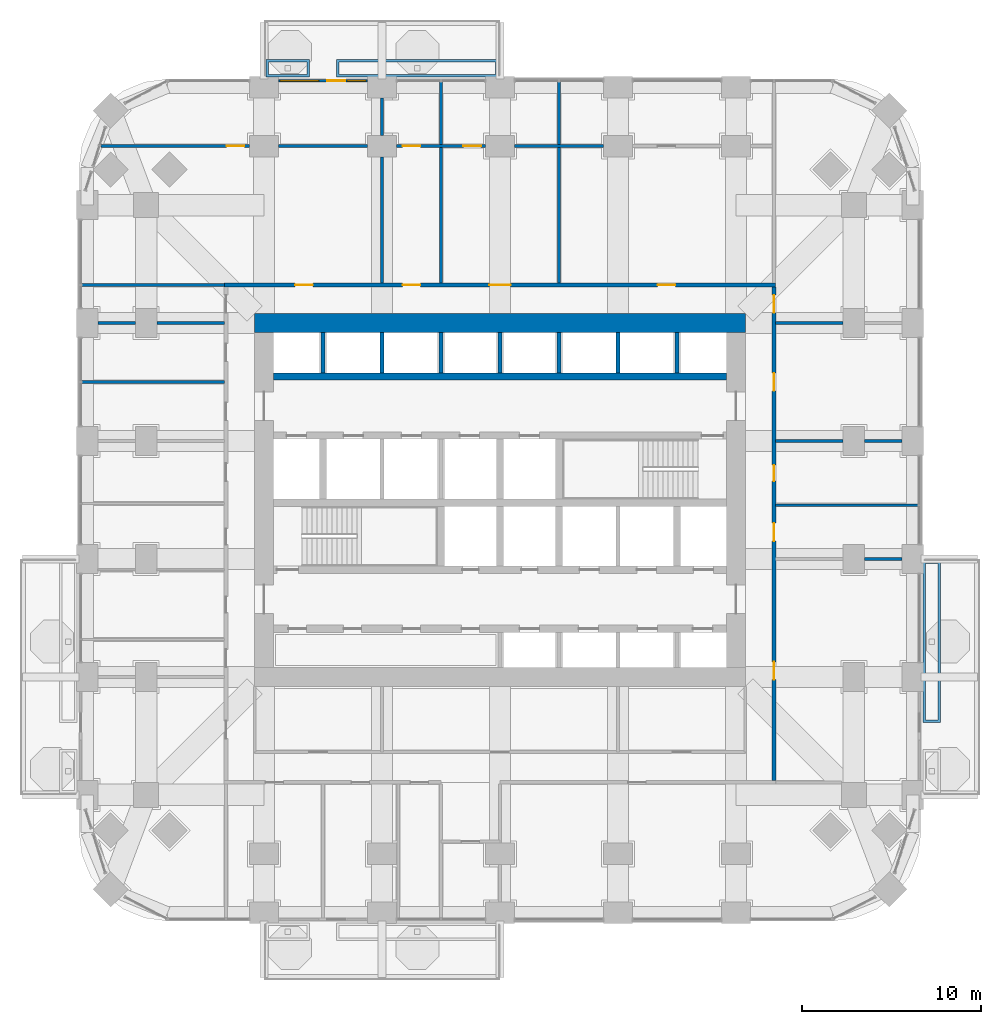
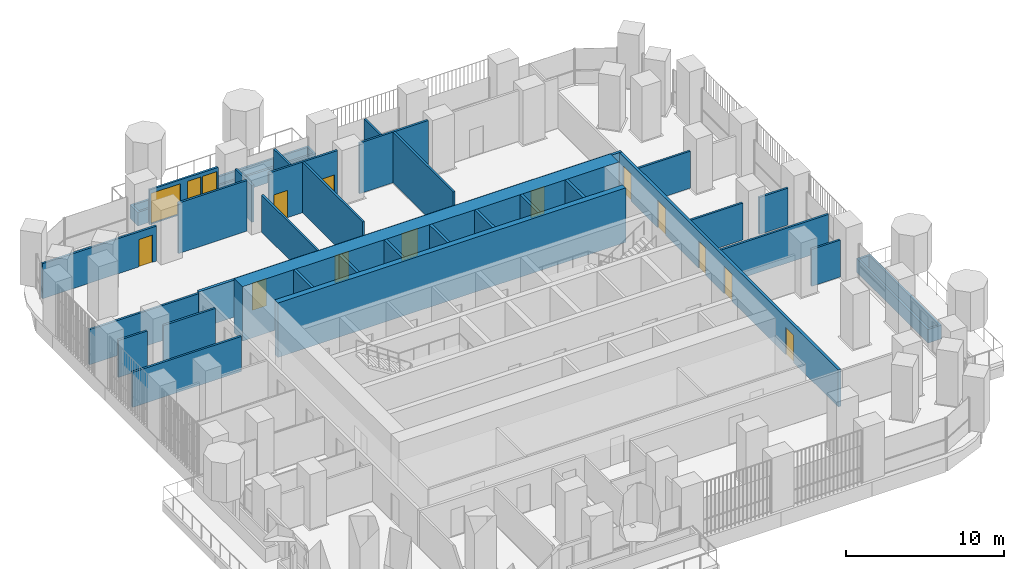
# One storey, part 15 of 21: 34 walls, 13 doors, 2 windows, 15 openings.
"""IFC4 building model written with IfcOpenShell, lengths in metres."""

from ifc_helpers import new_model, si_unit, direction, frame, frame_2d, origin, place, context, subcontext, project, spatial, polyline, rectangle, outline, extrude, material, layer, layer_set, type_object, element, fill, save


model = new_model("IFC4")

# Units and contexts
model_context = context("Model", 3, precision=1e-05, world=origin(), true_north=direction((0.0, 1.0)))
body_context = subcontext(model_context, "Body", "Model", "MODEL_VIEW")
ifc_project = project(units=[si_unit("LENGTHUNIT", "METRE"), si_unit("AREAUNIT", "SQUARE_METRE"), si_unit("VOLUMEUNIT", "CUBIC_METRE"), si_unit("PLANEANGLEUNIT", "RADIAN"), si_unit("MASSUNIT", "GRAM", prefix="KILO")], contexts=[model_context])

# Site, building, storey
site_placement = place(None, origin())
site = spatial("IfcSite", under=ifc_project, at=site_placement, CompositionType="ELEMENT")
building_placement = place(site_placement, origin())
building = spatial("IfcBuilding", under=site, at=building_placement, Name="Cobogo Forest Laboratory Tower", CompositionType="ELEMENT")
storey_placement = place(building_placement, frame((0.0, 0.0, 90.60009765625)))
storey = spatial("IfcBuildingStorey", under=building, at=storey_placement, Name="L20", CompositionType="ELEMENT", Elevation=90.60009765625)

# Walls
ifc_material_1 = material(Name="Concrete HA-50 (C50/60)", Category="concrete")
ifc_layer_1 = layer(ifc_material_1, 0.39990234375)
ifc_layer_set_1 = layer_set([ifc_layer_1], Name="CI400 core inner wall 400")
wall_type_1 = type_object("IfcWallType", Name="CI400 core inner wall 400", PredefinedType="SHEAR", material=ifc_layer_set_1)
wall_1_placement = place(storey_placement, frame((13.72509765625, 30.0, 0.0), z_axis=(0.0, 0.0, 1.0), x_axis=(1.0, 0.0, 0.0)))
element("IfcWall", 1, at=wall_1_placement, inside=storey, type_object=wall_type_1, Name="Core wall CI-30.0 L20", PredefinedType="SHEAR", context=body_context, shape_type="SweptSolid", body=[
    extrude(rectangle(XDim=25.349853515625, YDim=0.39990234375, at=frame_2d((12.6748046875, 0.0))), origin(), (0.0, 0.0, 1.0), 4.199951171875),
])
ifc_layer_2 = layer(ifc_material_1, 1.050048828125)
ifc_layer_set_2 = layer_set([ifc_layer_2], Name="CW1050 core outer wall 1050")
wall_type_2 = type_object("IfcWallType", Name="CW1050 core outer wall 1050", PredefinedType="SHEAR", material=ifc_layer_set_2)
wall_2_placement = place(storey_placement, frame((40.125, 33.0, 0.0), z_axis=(0.0, 0.0, 1.0), x_axis=(-1.0, 0.0, 0.0)))
element("IfcWall", 2, at=wall_2_placement, inside=storey, type_object=wall_type_2, Name="Core wall CO-N L20", PredefinedType="SHEAR", context=body_context, shape_type="SweptSolid", body=[
    extrude(rectangle(XDim=27.449951171875, YDim=1.050048828125, at=frame_2d((13.72509765625, 0.0))), origin(), (0.0, 0.0, 1.0), 4.199951171875),
])

# Wall, openings, door, windows
ifc_material_2 = material(Name="Aluminium framed glazed screen", Category="aluminium")
ifc_layer_3 = layer(ifc_material_2, 0.14990234375)
ifc_layer_set_3 = layer_set([ifc_layer_3], Name="GS1 glazed door screen 150")
wall_type_3 = type_object("IfcWallType", Name="GS1 glazed door screen 150", PredefinedType="SOLIDWALL", material=ifc_layer_set_3)
wall_3_placement = place(storey_placement, frame((19.0, 46.550048828125, 0.0), z_axis=(0.0, 0.0, 1.0), x_axis=(-1.0, 0.0, 0.0)))
wall_3 = element("IfcWall", 3, at=wall_3_placement, inside=storey, type_object=wall_type_3, Name="Door screen BAL-N1 L20", PredefinedType="SOLIDWALL", context=body_context, shape_type="SweptSolid", body=[
    extrude(rectangle(XDim=5.0, YDim=0.14990234375, at=frame_2d((2.5, 0.0))), origin(), (0.0, 0.0, 1.0), 2.699951171875),
])
opening_1_placement = place(wall_3_placement, frame((1.25, 0.0, 0.0)))
opening_1 = element("IfcOpeningElement", 4, at=opening_1_placement, cuts=wall_3, Name="Opening L20-D45", PredefinedType="OPENING", context=body_context, shape_type="SweptSolid", body=[
    extrude(rectangle(XDim=1.0, YDim=2.39990234375, at=frame_2d((0.5, 1.199951171875))), frame((0.0, 0.0849609375, 0.0), z_axis=(0.0, -1.0, 0.0), x_axis=(1.0, 0.0, 0.0)), (0.0, 0.0, 1.0), 0.169921875),
])
opening_2_placement = place(wall_3_placement, frame((0.10009765625, 0.0, 0.10009765625)))
opening_2 = element("IfcOpeningElement", 5, at=opening_2_placement, cuts=wall_3, Name="Opening L20-W08", PredefinedType="OPENING", context=body_context, shape_type="SweptSolid", body=[
    extrude(rectangle(XDim=1.050048828125, YDim=2.300048828125, at=frame_2d((0.52490234375, 1.14990234375))), frame((0.0, 0.0849609375, 0.0), z_axis=(0.0, -1.0, 0.0), x_axis=(1.0, 0.0, 0.0)), (0.0, 0.0, 1.0), 0.169921875),
])
opening_3_placement = place(wall_3_placement, frame((2.75, 0.0, 0.10009765625)))
opening_3 = element("IfcOpeningElement", 6, at=opening_3_placement, cuts=wall_3, Name="Opening L20-W07", PredefinedType="OPENING", context=body_context, shape_type="SweptSolid", body=[
    extrude(rectangle(XDim=2.14990234375, YDim=2.300048828125, at=frame_2d((1.074951171875, 1.14990234375))), frame((0.0, 0.0849609375, 0.0), z_axis=(0.0, -1.0, 0.0), x_axis=(1.0, 0.0, 0.0)), (0.0, 0.0, 1.0), 0.169921875),
])
ifc_material_3 = material(Name="Aluminium glazed door", Category="aluminium")
door_type_1 = type_object("IfcDoorType", Name="DB1 balcony door 1000 glazed", OperationType="SINGLE_SWING_LEFT", PredefinedType="DOOR", material=ifc_material_3)
door_1_placement = place(opening_1_placement, origin())
door_1 = element("IfcDoor", 7, at=door_1_placement, inside=storey, type_object=door_type_1, Name="Door L20-BAL-N1", OperationType="SINGLE_SWING_LEFT", OverallHeight=2.39990234375, OverallWidth=1.0, PredefinedType="DOOR", context=body_context, shape_type="SweptSolid", body=[
    extrude(rectangle(XDim=1.0, YDim=2.39990234375, at=frame_2d((0.5, 1.199951171875))), frame((0.0, 0.02490234375, 0.0), z_axis=(0.0, -1.0, 0.0), x_axis=(1.0, 0.0, 0.0)), (0.0, 0.0, 1.0), 0.050048828125),
])
fill(opening_1, door_1)
ifc_material_4 = material(Name="Aluminium framed glazing", Category="aluminium")
window_type_1 = type_object("IfcWindowType", Name="WG13 fixed glazed light 2150x2300", PartitioningType="SINGLE_PANEL", PredefinedType="WINDOW", material=ifc_material_4)
window_1_placement = place(opening_3_placement, origin())
window_1 = element("IfcWindow", 8, at=window_1_placement, inside=storey, type_object=window_type_1, Name="Window L20-BAL-N1-2", OverallHeight=2.300048828125, OverallWidth=2.14990234375, PartitioningType="SINGLE_PANEL", PredefinedType="WINDOW", context=body_context, shape_type="SweptSolid", body=[
    extrude(rectangle(XDim=2.14990234375, YDim=2.300048828125, at=frame_2d((1.074951171875, 1.14990234375))), frame((0.0, 0.030029296875, 0.0), z_axis=(0.0, -1.0, 0.0), x_axis=(1.0, 0.0, 0.0)), (0.0, 0.0, 1.0), 0.06005859375),
])
fill(opening_3, window_1)
window_type_2 = type_object("IfcWindowType", Name="WG14 fixed glazed light 1050x2300", PartitioningType="SINGLE_PANEL", PredefinedType="WINDOW", material=ifc_material_4)
window_2_placement = place(opening_2_placement, origin())
window_2 = element("IfcWindow", 9, at=window_2_placement, inside=storey, type_object=window_type_2, Name="Window L20-BAL-N1-1", OverallHeight=2.300048828125, OverallWidth=1.050048828125, PartitioningType="SINGLE_PANEL", PredefinedType="WINDOW", context=body_context, shape_type="SweptSolid", body=[
    extrude(rectangle(XDim=1.050048828125, YDim=2.300048828125, at=frame_2d((0.52490234375, 1.14990234375))), frame((0.0, 0.030029296875, 0.0), z_axis=(0.0, -1.0, 0.0), x_axis=(1.0, 0.0, 0.0)), (0.0, 0.0, 1.0), 0.06005859375),
])
fill(opening_2, window_2)

# Walls
ifc_material_5 = material(Name="Gypsum board on steel studs", Category="steel")
ifc_layer_4 = layer(ifc_material_5, 0.14990234375)
ifc_layer_set_4 = layer_set([ifc_layer_4], Name="PT1 laboratory partition 150")
wall_type_4 = type_object("IfcWallType", Name="PT1 laboratory partition 150", PredefinedType="PARTITIONING", material=ifc_layer_set_4)
for number, where, z_axis, x_axis, name in (
    (10, (3.030029296875, 35.125, 0.0), (0.0, 0.0, 1.0), (1.0, 0.0, 0.0), "Partition PW-NW L20"),
    (11, (49.77001953125, 22.800048828125, 0.0), (0.0, 0.0, 1.0), (-1.0, 0.0, 0.0), "Partition SVC-E1-1 L20"),
):
    element("IfcWall", number, at=place(storey_placement, frame(where, z_axis=z_axis, x_axis=x_axis)), inside=storey, type_object=wall_type_4, Name=name, PredefinedType="PARTITIONING", context=body_context, shape_type="SweptSolid", body=[
        extrude(rectangle(XDim=7.945068359375, YDim=0.14990234375, at=frame_2d((3.97265625, 0.0))), origin(), (0.0, 0.0, 1.0), 2.699951171875),
    ])
wall_4_placement = place(storey_placement, frame((48.89990234375, 26.39990234375, 0.0), z_axis=(0.0, 0.0, 1.0), x_axis=(-1.0, 0.0, 0.0)))
element("IfcWall", 12, at=wall_4_placement, inside=storey, type_object=wall_type_4, Name="Partition SVC-E2-1 L20", PredefinedType="PARTITIONING", context=body_context, shape_type="SweptSolid", body=[
    extrude(rectangle(XDim=2.099853515625, YDim=0.14990234375, at=frame_2d((1.0498046875, 0.0))), origin(), (0.0, 0.0, 1.0), 2.849853515625),
])
wall_5_placement = place(storey_placement, frame((45.60009765625, 26.39990234375, 0.0), z_axis=(0.0, 0.0, 1.0), x_axis=(-1.0, 0.0, 0.0)))
element("IfcWall", 13, at=wall_5_placement, inside=storey, type_object=wall_type_4, Name="Partition SVC-E2-2 L20", PredefinedType="PARTITIONING", context=body_context, shape_type="SweptSolid", body=[
    extrude(rectangle(XDim=3.775146484375, YDim=0.14990234375, at=frame_2d((1.8876953125, 0.0))), origin(), (0.0, 0.0, 1.0), 2.849853515625),
])
wall_6_placement = place(storey_placement, frame((48.89990234375, 19.800048828125, 0.0), z_axis=(0.0, 0.0, 1.0), x_axis=(-1.0, 0.0, 0.0)))
element("IfcWall", 14, at=wall_6_placement, inside=storey, type_object=wall_type_4, Name="Partition CUT-E19.8-1 L20", PredefinedType="PARTITIONING", context=body_context, shape_type="SweptSolid", body=[
    extrude(rectangle(XDim=2.099853515625, YDim=0.14990234375, at=frame_2d((1.0498046875, 0.0))), origin(), (0.0, 0.0, 1.0), 2.849853515625),
])
wall_7_placement = place(storey_placement, frame((45.60009765625, 33.0, 0.0), z_axis=(0.0, 0.0, 1.0), x_axis=(-1.0, 0.0, 0.0)))
element("IfcWall", 15, at=wall_7_placement, inside=storey, type_object=wall_type_4, Name="Partition CUT-E33-2 L20", PredefinedType="PARTITIONING", context=body_context, shape_type="SweptSolid", body=[
    extrude(rectangle(XDim=3.775146484375, YDim=0.14990234375, at=frame_2d((1.8876953125, 0.0))), origin(), (0.0, 0.0, 1.0), 2.849853515625),
])
wall_8_placement = place(storey_placement, frame((32.199951171875, 42.89990234375, 0.0), z_axis=(0.0, 0.0, 1.0), x_axis=(-1.0, 0.0, 0.0)))
element("IfcWall", 16, at=wall_8_placement, inside=storey, type_object=wall_type_4, Name="Partition STRIP-N-3 L20", PredefinedType="PARTITIONING", context=body_context, shape_type="SweptSolid", body=[
    extrude(rectangle(XDim=5.0, YDim=0.14990234375, at=frame_2d((2.5, 0.0))), origin(), (0.0, 0.0, 1.0), 3.89990234375),
])

# Wall, openings, doors
wall_9_placement = place(storey_placement, frame((25.60009765625, 42.89990234375, 0.0), z_axis=(0.0, 0.0, 1.0), x_axis=(-1.0, 0.0, 0.0)))
wall_9 = element("IfcWall", 17, at=wall_9_placement, inside=storey, type_object=wall_type_4, Name="Partition STRIP-N-4 L20", PredefinedType="PARTITIONING", context=body_context, shape_type="SweptSolid", body=[
    extrude(rectangle(XDim=5.0, YDim=0.14990234375, at=frame_2d((2.5, 0.0))), origin(), (0.0, 0.0, 1.0), 3.89990234375),
])
opening_4_placement = place(wall_9_placement, frame((3.64990234375, 0.0, 0.0)))
opening_4 = element("IfcOpeningElement", 18, at=opening_4_placement, cuts=wall_9, Name="Opening L20-D42", PredefinedType="OPENING", context=body_context, shape_type="SweptSolid", body=[
    extrude(rectangle(XDim=1.0, YDim=2.10009765625, at=frame_2d((0.5, 1.050048828125))), frame((0.0, 0.0849609375, 0.0), z_axis=(0.0, -1.0, 0.0), x_axis=(1.0, 0.0, 0.0)), (0.0, 0.0, 1.0), 0.169921875),
])
opening_5_placement = place(wall_9_placement, frame((0.25, 0.0, 0.0)))
opening_5 = element("IfcOpeningElement", 19, at=opening_5_placement, cuts=wall_9, Name="Opening L20-D43", PredefinedType="OPENING", context=body_context, shape_type="SweptSolid", body=[
    extrude(rectangle(XDim=1.0, YDim=2.10009765625, at=frame_2d((0.5, 1.050048828125))), frame((0.0, 0.0849609375, 0.0), z_axis=(0.0, -1.0, 0.0), x_axis=(1.0, 0.0, 0.0)), (0.0, 0.0, 1.0), 0.169921875),
])
ifc_material_6 = material(Name="Timber fire door", Category="wood")
door_type_2 = type_object("IfcDoorType", Name="FD2 fire door 1000 EI2 30", OperationType="SINGLE_SWING_LEFT", PredefinedType="DOOR", material=ifc_material_6)
door_2_placement = place(opening_4_placement, origin())
door_2 = element("IfcDoor", 20, at=door_2_placement, inside=storey, type_object=door_type_2, Name="Door L20-N2W", OperationType="SINGLE_SWING_RIGHT", OverallHeight=2.10009765625, OverallWidth=1.0, PredefinedType="DOOR", context=body_context, shape_type="SweptSolid", body=[
    extrude(rectangle(XDim=1.0, YDim=2.10009765625, at=frame_2d((0.5, 1.050048828125))), frame((0.0, 0.02490234375, 0.0), z_axis=(0.0, -1.0, 0.0), x_axis=(1.0, 0.0, 0.0)), (0.0, 0.0, 1.0), 0.050048828125),
])
fill(opening_4, door_2)
door_3_placement = place(opening_5_placement, origin())
door_3 = element("IfcDoor", 21, at=door_3_placement, inside=storey, type_object=door_type_2, Name="Door L20-N3W", OperationType="SINGLE_SWING_LEFT", OverallHeight=2.10009765625, OverallWidth=1.0, PredefinedType="DOOR", context=body_context, shape_type="SweptSolid", body=[
    extrude(rectangle(XDim=1.0, YDim=2.10009765625, at=frame_2d((0.5, 1.050048828125))), frame((0.0, 0.02490234375, 0.0), z_axis=(0.0, -1.0, 0.0), x_axis=(1.0, 0.0, 0.0)), (0.0, 0.0, 1.0), 0.050048828125),
])
fill(opening_5, door_3)

# Wall
wall_10_placement = place(storey_placement, frame((19.0, 42.89990234375, 0.0), z_axis=(0.0, 0.0, 1.0), x_axis=(-1.0, 0.0, 0.0)))
element("IfcWall", 22, at=wall_10_placement, inside=storey, type_object=wall_type_4, Name="Partition STRIP-N-5 L20", PredefinedType="PARTITIONING", context=body_context, shape_type="SweptSolid", body=[
    extrude(rectangle(XDim=5.0, YDim=0.14990234375, at=frame_2d((2.5, 0.0))), origin(), (0.0, 0.0, 1.0), 3.89990234375),
])

# Wall, opening, door
wall_11_placement = place(storey_placement, frame((12.39990234375, 42.89990234375, 0.0), z_axis=(0.0, 0.0, 1.0), x_axis=(-1.0, 0.0, 0.0)))
wall_11 = element("IfcWall", 23, at=wall_11_placement, inside=storey, type_object=wall_type_4, Name="Partition STRIP-N-6 L20", PredefinedType="PARTITIONING", context=body_context, shape_type="SweptSolid", body=[
    extrude(rectangle(XDim=8.323974609375, YDim=0.14990234375, at=frame_2d((4.162109375, 0.0))), origin(), (0.0, 0.0, 1.0), 2.699951171875),
])
opening_6_placement = place(wall_11_placement, frame((0.2919921875, 0.0, 0.0)))
opening_6 = element("IfcOpeningElement", 24, at=opening_6_placement, cuts=wall_11, Name="Opening L20-D41", PredefinedType="OPENING", context=body_context, shape_type="SweptSolid", body=[
    extrude(rectangle(XDim=1.0, YDim=2.10009765625, at=frame_2d((0.5, 1.050048828125))), frame((0.0, 0.0849609375, 0.0), z_axis=(0.0, -1.0, 0.0), x_axis=(1.0, 0.0, 0.0)), (0.0, 0.0, 1.0), 0.169921875),
])
door_4_placement = place(opening_6_placement, origin())
door_4 = element("IfcDoor", 25, at=door_4_placement, inside=storey, type_object=door_type_2, Name="Door L20-N1W", OperationType="SINGLE_SWING_LEFT", OverallHeight=2.10009765625, OverallWidth=1.0, PredefinedType="DOOR", context=body_context, shape_type="SweptSolid", body=[
    extrude(rectangle(XDim=1.0, YDim=2.10009765625, at=frame_2d((0.5, 1.050048828125))), frame((0.0, 0.02490234375, 0.0), z_axis=(0.0, -1.0, 0.0), x_axis=(1.0, 0.0, 0.0)), (0.0, 0.0, 1.0), 0.050048828125),
])
fill(opening_6, door_4)

# Walls
wall_12_placement = place(storey_placement, frame((19.800048828125, 45.60009765625, 0.0), z_axis=(0.0, 0.0, 1.0), x_axis=(0.0, -1.0, 0.0)))
element("IfcWall", 26, at=wall_12_placement, inside=storey, type_object=wall_type_4, Name="Partition CUT-N19.8a-1 L20", PredefinedType="PARTITIONING", context=body_context, shape_type="SweptSolid", body=[
    extrude(rectangle(XDim=2.10009765625, YDim=0.14990234375, at=frame_2d((1.050048828125, 0.0))), origin(), (0.0, 0.0, 1.0), 2.849853515625),
])
wall_13_placement = place(storey_placement, frame((19.800048828125, 42.300048828125, 0.0), z_axis=(0.0, 0.0, 1.0), x_axis=(0.0, -1.0, 0.0)))
element("IfcWall", 27, at=wall_13_placement, inside=storey, type_object=wall_type_4, Name="Partition CUT-N19.8b-1 L20", PredefinedType="PARTITIONING", context=body_context, shape_type="SweptSolid", body=[
    extrude(rectangle(XDim=7.074951171875, YDim=0.14990234375, at=frame_2d((3.53759765625, 0.0))), origin(), (0.0, 0.0, 1.0), 2.849853515625),
])
wall_14_placement = place(storey_placement, frame((23.10009765625, 46.469970703125, 0.0), z_axis=(0.0, 0.0, 1.0), x_axis=(0.0, -1.0, 0.0)))
element("IfcWall", 28, at=wall_14_placement, inside=storey, type_object=wall_type_4, Name="Partition CUT-N23.1a-1 L20", PredefinedType="PARTITIONING", context=body_context, shape_type="SweptSolid", body=[
    extrude(rectangle(XDim=3.494873046875, YDim=0.14990234375, at=frame_2d((1.74755859375, 0.0))), origin(), (0.0, 0.0, 1.0), 2.699951171875),
])
wall_15_placement = place(storey_placement, frame((23.10009765625, 42.824951171875, 0.0), z_axis=(0.0, 0.0, 1.0), x_axis=(0.0, -1.0, 0.0)))
element("IfcWall", 29, at=wall_15_placement, inside=storey, type_object=wall_type_4, Name="Partition CUT-N23.1b-1 L20", PredefinedType="PARTITIONING", context=body_context, shape_type="SweptSolid", body=[
    extrude(rectangle(XDim=7.599853515625, YDim=0.14990234375, at=frame_2d((3.7998046875, 0.0))), origin(), (0.0, 0.0, 1.0), 3.89990234375),
])
wall_16_placement = place(storey_placement, frame((29.699951171875, 46.469970703125, 0.0), z_axis=(0.0, 0.0, 1.0), x_axis=(0.0, -1.0, 0.0)))
element("IfcWall", 30, at=wall_16_placement, inside=storey, type_object=wall_type_4, Name="Partition CUT-N29.7a-1 L20", PredefinedType="PARTITIONING", context=body_context, shape_type="SweptSolid", body=[
    extrude(rectangle(XDim=3.494873046875, YDim=0.14990234375, at=frame_2d((1.74755859375, 0.0))), origin(), (0.0, 0.0, 1.0), 2.699951171875),
])
wall_17_placement = place(storey_placement, frame((29.699951171875, 42.824951171875, 0.0), z_axis=(0.0, 0.0, 1.0), x_axis=(0.0, -1.0, 0.0)))
element("IfcWall", 31, at=wall_17_placement, inside=storey, type_object=wall_type_4, Name="Partition CUT-N29.7b-1 L20", PredefinedType="PARTITIONING", context=body_context, shape_type="SweptSolid", body=[
    extrude(rectangle(XDim=7.599853515625, YDim=0.14990234375, at=frame_2d((3.7998046875, 0.0))), origin(), (0.0, 0.0, 1.0), 3.89990234375),
])
wall_18_placement = place(storey_placement, frame((3.030029296875, 29.699951171875, 0.0), z_axis=(0.0, 0.0, 1.0), x_axis=(1.0, 0.0, 0.0)))
element("IfcWall", 32, at=wall_18_placement, inside=storey, type_object=wall_type_4, Name="Partition CUT-W29.7-1 L20", PredefinedType="PARTITIONING", context=body_context, shape_type="SweptSolid", body=[
    extrude(rectangle(XDim=7.945068359375, YDim=0.14990234375, at=frame_2d((3.97265625, 0.0))), origin(), (0.0, 0.0, 1.0), 2.699951171875),
])
wall_19_placement = place(storey_placement, frame((3.89990234375, 33.0, 0.0), z_axis=(0.0, 0.0, 1.0), x_axis=(1.0, 0.0, 0.0)))
element("IfcWall", 33, at=wall_19_placement, inside=storey, type_object=wall_type_4, Name="Partition CUT-W33-1 L20", PredefinedType="PARTITIONING", context=body_context, shape_type="SweptSolid", body=[
    extrude(rectangle(XDim=2.10009765625, YDim=0.14990234375, at=frame_2d((1.050048828125, 0.0))), origin(), (0.0, 0.0, 1.0), 2.849853515625),
])
wall_20_placement = place(storey_placement, frame((7.199951171875, 33.0, 0.0), z_axis=(0.0, 0.0, 1.0), x_axis=(1.0, 0.0, 0.0)))
element("IfcWall", 34, at=wall_20_placement, inside=storey, type_object=wall_type_4, Name="Partition CUT-W33-2 L20", PredefinedType="PARTITIONING", context=body_context, shape_type="SweptSolid", body=[
    extrude(rectangle(XDim=3.775146484375, YDim=0.14990234375, at=frame_2d((1.8876953125, 0.0))), origin(), (0.0, 0.0, 1.0), 2.849853515625),
])

# Wall, openings, doors
ifc_layer_5 = layer(ifc_material_5, 0.199951171875)
ifc_layer_set_5 = layer_set([ifc_layer_5], Name="PT2 fire-rated corridor partition 200")
wall_type_5 = type_object("IfcWallType", Name="PT2 fire-rated corridor partition 200", PredefinedType="PARTITIONING", material=ifc_layer_set_5)
wall_21_placement = place(storey_placement, frame((10.97509765625, 35.125, 0.0), z_axis=(0.0, 0.0, 1.0), x_axis=(1.0, 0.0, 0.0)))
wall_21 = element("IfcWall", 35, at=wall_21_placement, inside=storey, type_object=wall_type_5, Name="Partition CORR-N L20", PredefinedType="PARTITIONING", context=body_context, shape_type="SweptSolid", body=[
    extrude(rectangle(XDim=30.849853515625, YDim=0.199951171875, at=frame_2d((15.4248046875, 0.0))), origin(), (0.0, 0.0, 1.0), 2.849853515625),
])
opening_7_placement = place(wall_21_placement, frame((3.96240234375, 0.0, 0.0)))
opening_7 = element("IfcOpeningElement", 36, at=opening_7_placement, cuts=wall_21, Name="Opening L20-D37", PredefinedType="OPENING", context=body_context, shape_type="SweptSolid", body=[
    extrude(rectangle(XDim=1.0, YDim=2.10009765625, at=frame_2d((0.5, 1.050048828125))), frame((0.0, 0.10986328125, 0.0), z_axis=(0.0, -1.0, 0.0), x_axis=(1.0, 0.0, 0.0)), (0.0, 0.0, 1.0), 0.219970703125),
])
opening_8_placement = place(wall_21_placement, frame((9.97509765625, 0.0, 0.0)))
opening_8 = element("IfcOpeningElement", 37, at=opening_8_placement, cuts=wall_21, Name="Opening L20-D38", PredefinedType="OPENING", context=body_context, shape_type="SweptSolid", body=[
    extrude(rectangle(XDim=1.0, YDim=2.10009765625, at=frame_2d((0.5, 1.050048828125))), frame((0.0, 0.10986328125, 0.0), z_axis=(0.0, -1.0, 0.0), x_axis=(1.0, 0.0, 0.0)), (0.0, 0.0, 1.0), 0.219970703125),
])
opening_9_placement = place(wall_21_placement, frame((14.824951171875, 0.0, 0.0)))
opening_9 = element("IfcOpeningElement", 38, at=opening_9_placement, cuts=wall_21, Name="Opening L20-D39", PredefinedType="OPENING", context=body_context, shape_type="SweptSolid", body=[
    extrude(rectangle(XDim=1.199951171875, YDim=2.10009765625, at=frame_2d((0.60009765625, 1.050048828125))), frame((0.0, 0.10986328125, 0.0), z_axis=(0.0, -1.0, 0.0), x_axis=(1.0, 0.0, 0.0)), (0.0, 0.0, 1.0), 0.219970703125),
])
opening_10_placement = place(wall_21_placement, frame((24.237548828125, 0.0, 0.0)))
opening_10 = element("IfcOpeningElement", 39, at=opening_10_placement, cuts=wall_21, Name="Opening L20-D40", PredefinedType="OPENING", context=body_context, shape_type="SweptSolid", body=[
    extrude(rectangle(XDim=1.0, YDim=2.10009765625, at=frame_2d((0.5, 1.050048828125))), frame((0.0, 0.10986328125, 0.0), z_axis=(0.0, -1.0, 0.0), x_axis=(1.0, 0.0, 0.0)), (0.0, 0.0, 1.0), 0.219970703125),
])
ifc_material_7 = material(Name="Timber door", Category="wood")
door_type_3 = type_object("IfcDoorType", Name="D2 laboratory door 1200 unequal pair", OperationType="DOUBLE_DOOR_SINGLE_SWING", PredefinedType="DOOR", material=ifc_material_7)
door_5_placement = place(opening_9_placement, origin())
door_5 = element("IfcDoor", 40, at=door_5_placement, inside=storey, type_object=door_type_3, Name="Door L20-N3", OperationType="DOUBLE_DOOR_SINGLE_SWING", OverallHeight=2.10009765625, OverallWidth=1.199951171875, PredefinedType="DOOR", context=body_context, shape_type="SweptSolid", body=[
    extrude(rectangle(XDim=1.199951171875, YDim=2.10009765625, at=frame_2d((0.60009765625, 1.050048828125))), frame((0.0, 0.02490234375, 0.0), z_axis=(0.0, -1.0, 0.0), x_axis=(1.0, 0.0, 0.0)), (0.0, 0.0, 1.0), 0.050048828125),
])
fill(opening_9, door_5)
ifc_material_8 = material(Name="Steel fire door", Category="steel")
door_type_4 = type_object("IfcDoorType", Name="FD1 fire door 1000 EI2 60", OperationType="SINGLE_SWING_LEFT", PredefinedType="DOOR", material=ifc_material_8)
door_6_placement = place(opening_7_placement, origin())
door_6 = element("IfcDoor", 41, at=door_6_placement, inside=storey, type_object=door_type_4, Name="Door L20-N1", OperationType="SINGLE_SWING_LEFT", OverallHeight=2.10009765625, OverallWidth=1.0, PredefinedType="DOOR", context=body_context, shape_type="SweptSolid", body=[
    extrude(rectangle(XDim=1.0, YDim=2.10009765625, at=frame_2d((0.5, 1.050048828125))), frame((0.0, 0.02490234375, 0.0), z_axis=(0.0, -1.0, 0.0), x_axis=(1.0, 0.0, 0.0)), (0.0, 0.0, 1.0), 0.050048828125),
])
fill(opening_7, door_6)
door_7_placement = place(opening_8_placement, origin())
door_7 = element("IfcDoor", 42, at=door_7_placement, inside=storey, type_object=door_type_4, Name="Door L20-N2", OperationType="SINGLE_SWING_LEFT", OverallHeight=2.10009765625, OverallWidth=1.0, PredefinedType="DOOR", context=body_context, shape_type="SweptSolid", body=[
    extrude(rectangle(XDim=1.0, YDim=2.10009765625, at=frame_2d((0.5, 1.050048828125))), frame((0.0, 0.02490234375, 0.0), z_axis=(0.0, -1.0, 0.0), x_axis=(1.0, 0.0, 0.0)), (0.0, 0.0, 1.0), 0.050048828125),
])
fill(opening_8, door_7)
door_8_placement = place(opening_10_placement, origin())
door_8 = element("IfcDoor", 43, at=door_8_placement, inside=storey, type_object=door_type_2, Name="Door L20-N4", OperationType="SINGLE_SWING_RIGHT", OverallHeight=2.10009765625, OverallWidth=1.0, PredefinedType="DOOR", context=body_context, shape_type="SweptSolid", body=[
    extrude(rectangle(XDim=1.0, YDim=2.10009765625, at=frame_2d((0.5, 1.050048828125))), frame((0.0, 0.02490234375, 0.0), z_axis=(0.0, -1.0, 0.0), x_axis=(1.0, 0.0, 0.0)), (0.0, 0.0, 1.0), 0.050048828125),
])
fill(opening_10, door_8)

wall_22_placement = place(storey_placement, frame((41.72509765625, 7.39990234375, 0.0), z_axis=(0.0, 0.0, 1.0), x_axis=(0.0, 1.0, 0.0)))
wall_22 = element("IfcWall", 44, at=wall_22_placement, inside=storey, type_object=wall_type_5, Name="Partition CORR-E L20", PredefinedType="PARTITIONING", context=body_context, shape_type="SweptSolid", body=[
    extrude(rectangle(XDim=27.625, YDim=0.199951171875, at=frame_2d((13.8125, 0.0))), origin(), (0.0, 0.0, 1.0), 2.849853515625),
])
opening_11_placement = place(wall_22_placement, frame((5.64990234375, 0.0, 0.0)))
opening_11 = element("IfcOpeningElement", 45, at=opening_11_placement, cuts=wall_22, Name="Opening L20-D13", PredefinedType="OPENING", context=body_context, shape_type="SweptSolid", body=[
    extrude(rectangle(XDim=1.0, YDim=2.10009765625, at=frame_2d((0.5, 1.050048828125))), frame((0.0, 0.10986328125, 0.0), z_axis=(0.0, -1.0, 0.0), x_axis=(1.0, 0.0, 0.0)), (0.0, 0.0, 1.0), 0.219970703125),
])
opening_12_placement = place(wall_22_placement, frame((13.39990234375, 0.0, 0.0)))
opening_12 = element("IfcOpeningElement", 46, at=opening_12_placement, cuts=wall_22, Name="Opening L20-D26", PredefinedType="OPENING", context=body_context, shape_type="SweptSolid", body=[
    extrude(rectangle(XDim=1.0, YDim=2.10009765625, at=frame_2d((0.5, 1.050048828125))), frame((0.0, 0.10986328125, 0.0), z_axis=(0.0, -1.0, 0.0), x_axis=(1.0, 0.0, 0.0)), (0.0, 0.0, 1.0), 0.219970703125),
])
opening_13_placement = place(wall_22_placement, frame((16.75, 0.0, 0.0)))
opening_13 = element("IfcOpeningElement", 47, at=opening_13_placement, cuts=wall_22, Name="Opening L20-D27", PredefinedType="OPENING", context=body_context, shape_type="SweptSolid", body=[
    extrude(rectangle(XDim=0.89990234375, YDim=2.10009765625, at=frame_2d((0.449951171875, 1.050048828125))), frame((0.0, 0.10986328125, 0.0), z_axis=(0.0, -1.0, 0.0), x_axis=(1.0, 0.0, 0.0)), (0.0, 0.0, 1.0), 0.219970703125),
])
opening_14_placement = place(wall_22_placement, frame((21.800048828125, 0.0, 0.0)))
opening_14 = element("IfcOpeningElement", 48, at=opening_14_placement, cuts=wall_22, Name="Opening L20-D33", PredefinedType="OPENING", context=body_context, shape_type="SweptSolid", body=[
    extrude(rectangle(XDim=1.0, YDim=2.10009765625, at=frame_2d((0.5, 1.050048828125))), frame((0.0, 0.10986328125, 0.0), z_axis=(0.0, -1.0, 0.0), x_axis=(1.0, 0.0, 0.0)), (0.0, 0.0, 1.0), 0.219970703125),
])
opening_15_placement = place(wall_22_placement, frame((26.16259765625, 0.0, 0.0)))
opening_15 = element("IfcOpeningElement", 49, at=opening_15_placement, cuts=wall_22, Name="Opening L20-D36", PredefinedType="OPENING", context=body_context, shape_type="SweptSolid", body=[
    extrude(rectangle(XDim=1.0, YDim=2.10009765625, at=frame_2d((0.5, 1.050048828125))), frame((0.0, 0.10986328125, 0.0), z_axis=(0.0, -1.0, 0.0), x_axis=(1.0, 0.0, 0.0)), (0.0, 0.0, 1.0), 0.219970703125),
])
door_9_placement = place(opening_12_placement, origin())
door_9 = element("IfcDoor", 50, at=door_9_placement, inside=storey, type_object=door_type_4, Name="Door L20-ELEC", OperationType="SINGLE_SWING_RIGHT", OverallHeight=2.10009765625, OverallWidth=1.0, PredefinedType="DOOR", context=body_context, shape_type="SweptSolid", body=[
    extrude(rectangle(XDim=1.0, YDim=2.10009765625, at=frame_2d((0.5, 1.050048828125))), frame((0.0, 0.02490234375, 0.0), z_axis=(0.0, -1.0, 0.0), x_axis=(1.0, 0.0, 0.0)), (0.0, 0.0, 1.0), 0.050048828125),
])
fill(opening_12, door_9)
door_10_placement = place(opening_11_placement, origin())
door_10 = element("IfcDoor", 51, at=door_10_placement, inside=storey, type_object=door_type_2, Name="Door L20-E1", OperationType="SINGLE_SWING_LEFT", OverallHeight=2.10009765625, OverallWidth=1.0, PredefinedType="DOOR", context=body_context, shape_type="SweptSolid", body=[
    extrude(rectangle(XDim=1.0, YDim=2.10009765625, at=frame_2d((0.5, 1.050048828125))), frame((0.0, 0.02490234375, 0.0), z_axis=(0.0, -1.0, 0.0), x_axis=(1.0, 0.0, 0.0)), (0.0, 0.0, 1.0), 0.050048828125),
])
fill(opening_11, door_10)
door_11_placement = place(opening_14_placement, origin())
door_11 = element("IfcDoor", 52, at=door_11_placement, inside=storey, type_object=door_type_2, Name="Door L20-E2", OperationType="SINGLE_SWING_RIGHT", OverallHeight=2.10009765625, OverallWidth=1.0, PredefinedType="DOOR", context=body_context, shape_type="SweptSolid", body=[
    extrude(rectangle(XDim=1.0, YDim=2.10009765625, at=frame_2d((0.5, 1.050048828125))), frame((0.0, 0.02490234375, 0.0), z_axis=(0.0, -1.0, 0.0), x_axis=(1.0, 0.0, 0.0)), (0.0, 0.0, 1.0), 0.050048828125),
])
fill(opening_14, door_11)
door_12_placement = place(opening_15_placement, origin())
door_12 = element("IfcDoor", 53, at=door_12_placement, inside=storey, type_object=door_type_2, Name="Door L20-E3", OperationType="SINGLE_SWING_RIGHT", OverallHeight=2.10009765625, OverallWidth=1.0, PredefinedType="DOOR", context=body_context, shape_type="SweptSolid", body=[
    extrude(rectangle(XDim=1.0, YDim=2.10009765625, at=frame_2d((0.5, 1.050048828125))), frame((0.0, 0.02490234375, 0.0), z_axis=(0.0, -1.0, 0.0), x_axis=(1.0, 0.0, 0.0)), (0.0, 0.0, 1.0), 0.050048828125),
])
fill(opening_15, door_12)
door_type_5 = type_object("IfcDoorType", Name="FD4 riser access door 900 EI2 60", OperationType="SINGLE_SWING_LEFT", PredefinedType="DOOR", material=ifc_material_8)
door_13_placement = place(opening_13_placement, origin())
door_13 = element("IfcDoor", 54, at=door_13_placement, inside=storey, type_object=door_type_5, Name="Door L20-COMMS", OperationType="SINGLE_SWING_RIGHT", OverallHeight=2.10009765625, OverallWidth=0.89990234375, PredefinedType="DOOR", context=body_context, shape_type="SweptSolid", body=[
    extrude(rectangle(XDim=0.89990234375, YDim=2.10009765625, at=frame_2d((0.449951171875, 1.050048828125))), frame((0.0, 0.02490234375, 0.0), z_axis=(0.0, -1.0, 0.0), x_axis=(1.0, 0.0, 0.0)), (0.0, 0.0, 1.0), 0.050048828125),
])
fill(opening_13, door_13)

# Walls
ifc_material_9 = material(Name="Concrete HA-40 (C40/50)", Category="concrete")
ifc_layer_6 = layer(ifc_material_9, 0.14990234375)
ifc_layer_set_6 = layer_set([ifc_layer_6], Name="Planter box 1000x1050")
wall_type_6 = type_object("IfcWallType", Name="Planter box 1000x1050", PredefinedType="USERDEFINED", material=ifc_layer_set_6)
wall_23_placement = place(storey_placement, origin())
element("IfcWall", 55, at=wall_23_placement, inside=storey, type_object=wall_type_6, Name="Planter BAL-E1-2 L20", ObjectType="PLANTER", PredefinedType="USERDEFINED", context=body_context, shape_type="SweptSolid", body=[
    extrude(outline(polyline([(50.050048828125, 10.64990234375), (51.050048828125, 10.64990234375), (51.050048828125, 19.699951171875), (50.050048828125, 19.699951171875), (50.050048828125, 10.64990234375)]), holes=[polyline([(50.199951171875, 10.800048828125), (50.89990234375, 10.800048828125), (50.89990234375, 19.550048828125), (50.199951171875, 19.550048828125), (50.199951171875, 10.800048828125)])]), origin(), (0.0, 0.0, 1.0), 1.0498046875),
])
wall_24_placement = place(storey_placement, origin())
element("IfcWall", 56, at=wall_24_placement, inside=storey, type_object=wall_type_6, Name="Planter BAL-N1-1 L20", ObjectType="PLANTER", PredefinedType="USERDEFINED", context=body_context, shape_type="SweptSolid", body=[
    extrude(outline(polyline([(13.300048828125, 46.75), (15.75, 46.75), (15.75, 47.75), (13.300048828125, 47.75), (13.300048828125, 46.75)]), holes=[polyline([(13.449951171875, 46.89990234375), (15.60009765625, 46.89990234375), (15.60009765625, 47.60009765625), (13.449951171875, 47.60009765625), (13.449951171875, 46.89990234375)])]), origin(), (0.0, 0.0, 1.0), 1.0498046875),
])
wall_25_placement = place(storey_placement, origin())
element("IfcWall", 57, at=wall_25_placement, inside=storey, type_object=wall_type_6, Name="Planter BAL-N1-2 L20", ObjectType="PLANTER", PredefinedType="USERDEFINED", context=body_context, shape_type="SweptSolid", body=[
    extrude(outline(polyline([(17.25, 46.75), (26.300048828125, 46.75), (26.300048828125, 47.75), (17.25, 47.75), (17.25, 46.75)]), holes=[polyline([(17.39990234375, 46.89990234375), (26.14990234375, 46.89990234375), (26.14990234375, 47.60009765625), (17.39990234375, 47.60009765625), (17.39990234375, 46.89990234375)])]), origin(), (0.0, 0.0, 1.0), 1.0498046875),
])
ifc_material_10 = material(Name="Concrete block", Category="concrete")
ifc_layer_7 = layer(ifc_material_10, 0.199951171875)
ifc_layer_set_7 = layer_set([ifc_layer_7], Name="SW200 lift shaft separator 200")
wall_type_7 = type_object("IfcWallType", Name="SW200 lift shaft separator 200", PredefinedType="PARTITIONING", material=ifc_layer_set_7)
for number, where, z_axis, x_axis, name in (
    (58, (16.5, 30.199951171875, 0.0), (0.0, 0.0, 1.0), (0.0, 1.0, 0.0), "Core wall SEP-N1 L20"),
    (59, (19.800048828125, 30.199951171875, 0.0), (0.0, 0.0, 1.0), (0.0, 1.0, 0.0), "Core wall SEP-N2 L20"),
    (60, (23.10009765625, 30.199951171875, 0.0), (0.0, 0.0, 1.0), (0.0, 1.0, 0.0), "Core wall SEP-N3 L20"),
    (61, (26.39990234375, 30.199951171875, 0.0), (0.0, 0.0, 1.0), (0.0, 1.0, 0.0), "Core wall SEP-N4 L20"),
    (62, (29.699951171875, 30.199951171875, 0.0), (0.0, 0.0, 1.0), (0.0, 1.0, 0.0), "Core wall SEP-N5 L20"),
    (63, (33.0, 30.199951171875, 0.0), (0.0, 0.0, 1.0), (0.0, 1.0, 0.0), "Core wall SEP-N6 L20"),
    (64, (36.300048828125, 30.199951171875, 0.0), (0.0, 0.0, 1.0), (0.0, 1.0, 0.0), "Core wall SEP-N7 L20"),
):
    element("IfcWall", number, at=place(storey_placement, frame(where, z_axis=z_axis, x_axis=x_axis)), inside=storey, type_object=wall_type_7, Name=name, PredefinedType="PARTITIONING", context=body_context, shape_type="SweptSolid", body=[
        extrude(rectangle(XDim=2.275146484375, YDim=0.199951171875, at=frame_2d((1.1376953125, 0.0))), origin(), (0.0, 0.0, 1.0), 4.199951171875),
    ])

save(model, "model.ifc")
